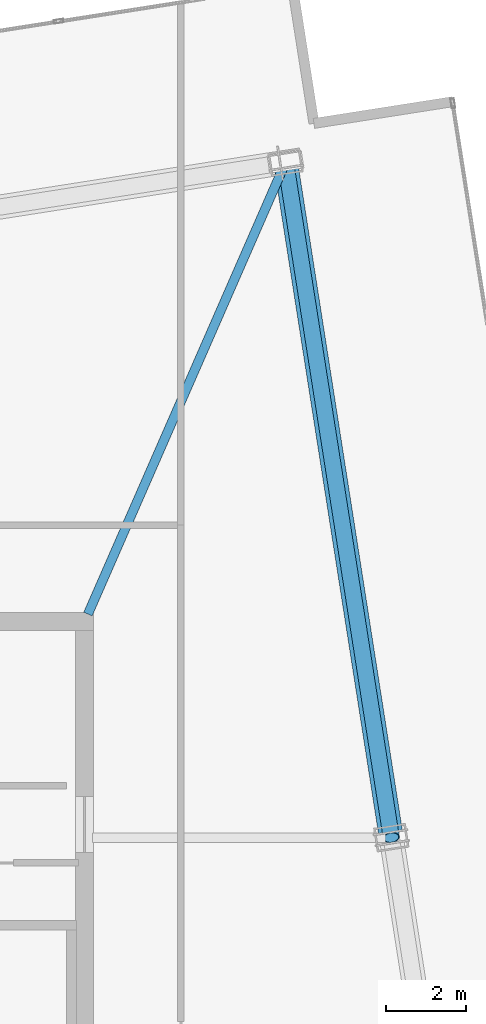
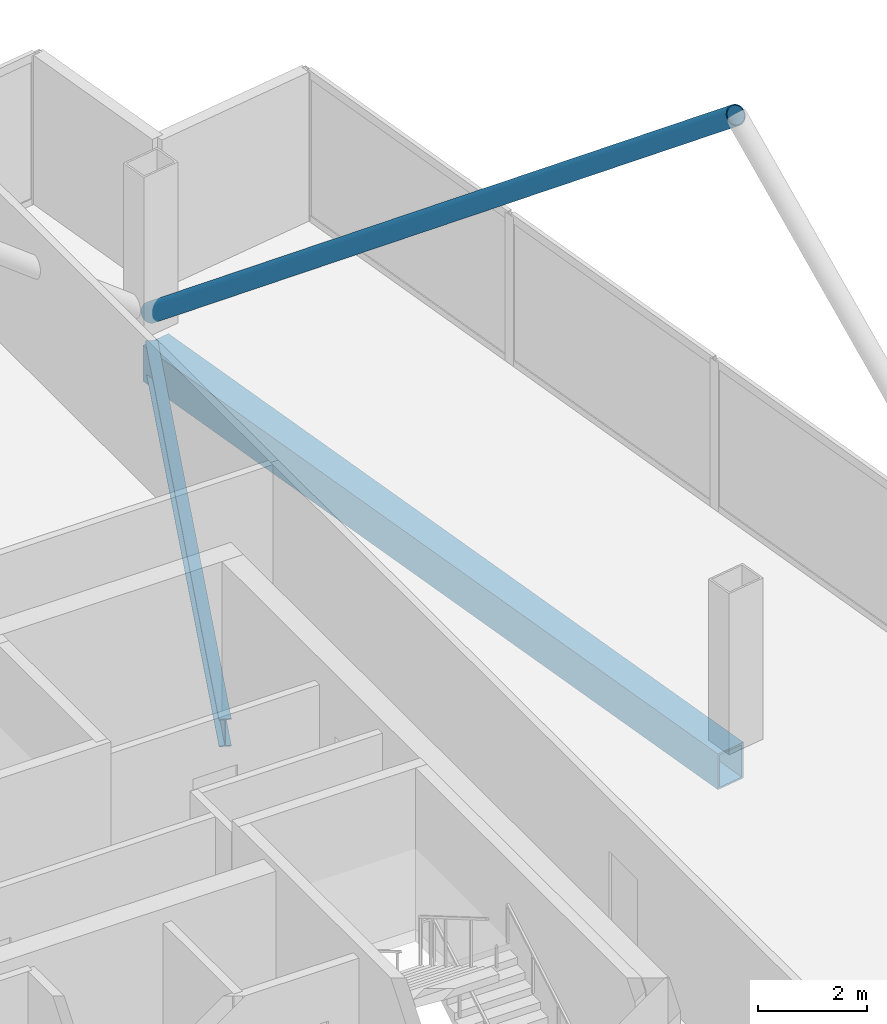
# One storey, part 16 of 21: 2 beams, 1 member.
"""IFC4 building model written with IfcOpenShell, lengths in metres."""

from ifc_helpers import new_model, si_unit, direction, frame, origin, origin_2d, place, context, subcontext, project, spatial, hollow_rectangle, hollow_circle, i_section, extrude, material, material_profile, profile_set, type_object, element, save


model = new_model("IFC4")

# Units and contexts
model_context = context("Model", 3, precision=1e-05, world=origin(), true_north=direction((0.0, 1.0)))
body_context = subcontext(model_context, "Body", "Model", "MODEL_VIEW")
ifc_project = project(units=[si_unit("LENGTHUNIT", "METRE"), si_unit("AREAUNIT", "SQUARE_METRE"), si_unit("VOLUMEUNIT", "CUBIC_METRE"), si_unit("PLANEANGLEUNIT", "RADIAN"), si_unit("MASSUNIT", "GRAM", prefix="KILO")], contexts=[model_context])

# Site, building, storey
site_placement = place(None, origin())
site = spatial("IfcSite", under=ifc_project, at=site_placement, CompositionType="ELEMENT")
building_placement = place(site_placement, origin())
building = spatial("IfcBuilding", under=site, at=building_placement, Name="Haldenkirk Collegiate Tower", CompositionType="ELEMENT")
storey_placement = place(building_placement, frame((0.0, 0.0, 360.60009765625)))
storey = spatial("IfcBuildingStorey", under=building, at=storey_placement, Name="L91", CompositionType="ELEMENT", Elevation=360.60009765625)

# Beams
ifc_material_1 = material(Name="Steel ASTM A992 Grade 50", Category="steel")
ifc_material_profile_1 = material_profile(ifc_material_1, i_section(OverallWidth=0.22998046875, OverallDepth=0.616943359375, WebThickness=0.01318359375, FlangeThickness=0.022216796875, at=origin_2d()), Name="W24X94")
ifc_profile_set_1 = profile_set([ifc_material_profile_1], Name="Steel ASTM A992 Grade 50")
beam_type_1 = type_object("IfcBeamType", Name="BM-GIRDER-W24X94", PredefinedType="BEAM", material=ifc_profile_set_1)
beam_1_placement = place(storey_placement, frame((49.94921875, 45.314208984375, -0.57861328125), z_axis=(-0.400769288395, -0.916179009517, 0.0), x_axis=(0.916179009517, -0.400769288395, 0.0)))
element("IfcBeam", 1, at=beam_1_placement, inside=storey, type_object=beam_type_1, Name="L91 crown radial floor beam 3", PredefinedType="BEAM", context=body_context, shape_type="SweptSolid", body=[
    extrude(i_section(OverallWidth=0.22998046875, OverallDepth=0.616943359375, WebThickness=0.01318359375, FlangeThickness=0.022216796875, at=origin_2d()), origin(), (0.0, 0.0, 1.0), 12.1494140625),
])
ifc_material_2 = material(Name="Steel ASTM A572 Grade 50", Category="steel")
ifc_material_profile_2 = material_profile(ifc_material_2, hollow_rectangle(XDim=0.60009765625, YDim=0.800048828125, WallThickness=0.0400390625, at=origin_2d()), Name="BOX800X600X40")
ifc_profile_set_2 = profile_set([ifc_material_profile_2], Name="Steel ASTM A572 Grade 50")
beam_type_2 = type_object("IfcBeamType", Name="BM-SPANDREL-BOX800X600X40", PredefinedType="SPANDREL", material=ifc_profile_set_2)
beam_2_placement = place(storey_placement, frame((52.623779296875, 28.755126953125, -0.670166015625), z_axis=(-0.154705009471, 0.987960707743, 0.0), x_axis=(-0.987960707743, -0.154705009471, 0.0)))
element("IfcBeam", 2, at=beam_2_placement, inside=storey, type_object=beam_type_2, Name="L91 Crown Ring Frame perimeter girder 2", PredefinedType="SPANDREL", context=body_context, shape_type="SweptSolid", body=[
    extrude(hollow_rectangle(XDim=0.60009765625, YDim=0.800048828125, WallThickness=0.0400390625, at=origin_2d()), origin(), (0.0, 0.0, 1.0), 16.75),
])

# Member
ifc_material_profile_3 = material_profile(ifc_material_2, hollow_circle(Radius=0.202880859375, WallThickness=0.02001953125, at=origin_2d()), Name="CHS406X20")
ifc_profile_set_3 = profile_set([ifc_material_profile_3], Name="Steel ASTM A572 Grade 50")
member_type = type_object("IfcMemberType", Name="MBR-CROWNBRACE-CHS406", PredefinedType="BRACE", material=ifc_profile_set_3)
member_placement = place(storey_placement, frame((50.00927734375, 45.45166015625, 0.25), z_axis=(0.120607073182, -0.770143972352, 0.626364267618), x_axis=(0.987958739178, 0.154717580393, 0.0)))
element("IfcMember", 3, at=member_placement, inside=storey, type_object=member_type, Name="Crown Ring Frame diagonal brace S2", PredefinedType="BRACE", context=body_context, shape_type="SweptSolid", body=[
    extrude(hollow_circle(Radius=0.202880859375, WallThickness=0.02001953125, at=origin_2d()), origin(), (0.0, 0.0, 1.0), 21.8720703125),
])

save(model, "model.ifc")
